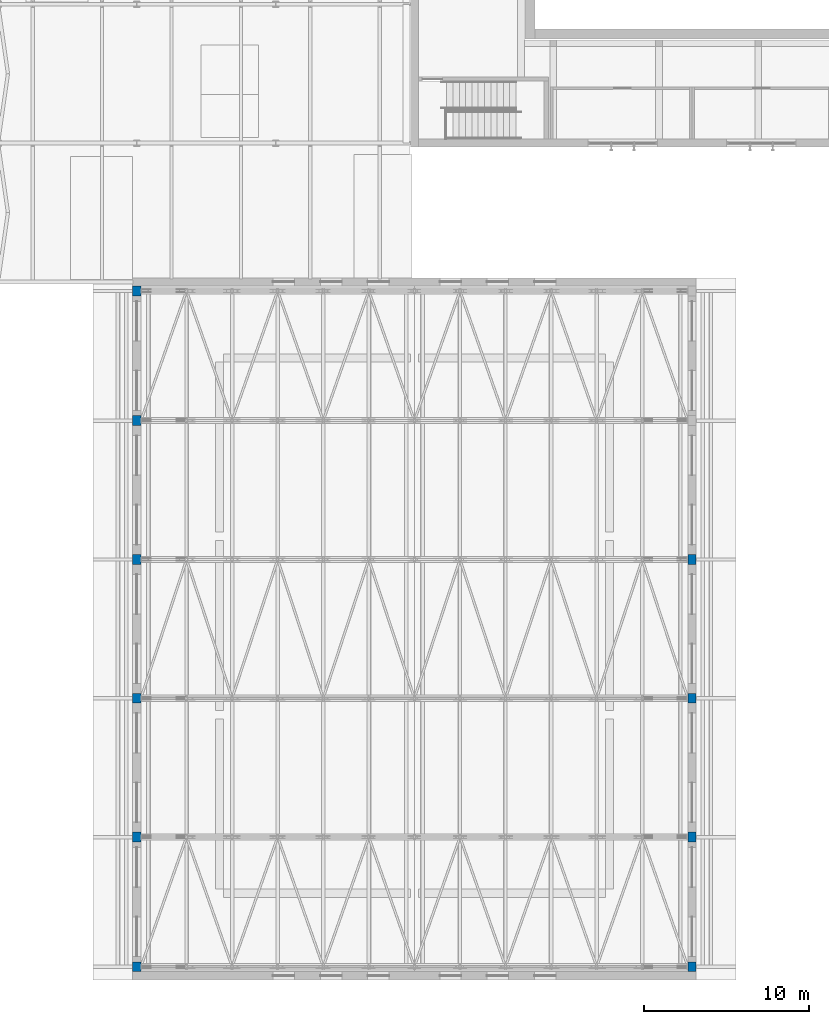
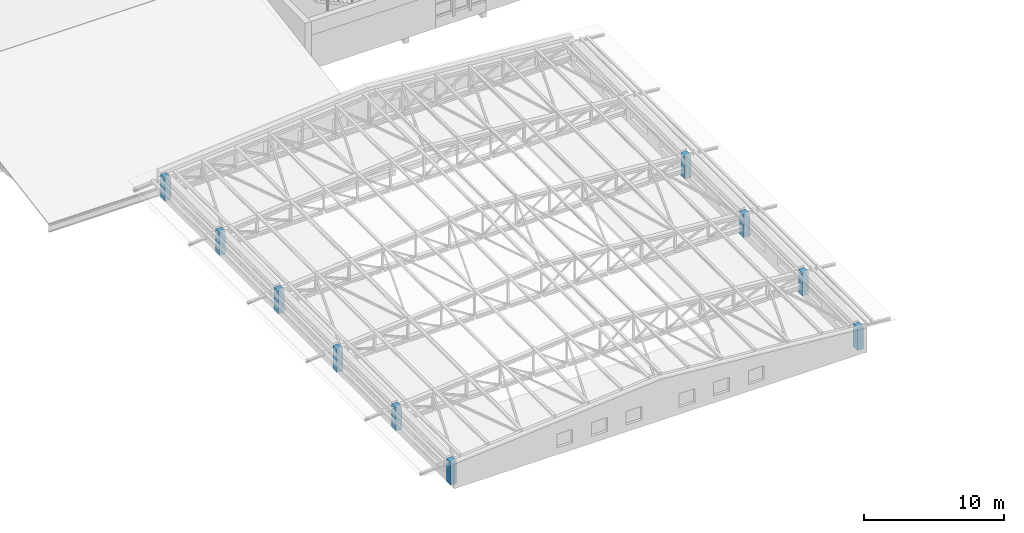
# One storey, part 1 of 60: 10 columns.
"""IFC4 building model written with IfcOpenShell, lengths in metres."""

from ifc_helpers import new_model, si_unit, direction, frame, origin, origin_2d, place, context, subcontext, project, spatial, rectangle, extrude, material, material_profile, profile_set, type_object, element, save


model = new_model("IFC4")

# Units and contexts
model_context = context("Model", 3, precision=1e-05, world=origin(), true_north=direction((0.0, 1.0)))
body_context = subcontext(model_context, "Body", "Model", "MODEL_VIEW")
ifc_project = project(units=[si_unit("LENGTHUNIT", "METRE"), si_unit("AREAUNIT", "SQUARE_METRE"), si_unit("VOLUMEUNIT", "CUBIC_METRE"), si_unit("PLANEANGLEUNIT", "RADIAN"), si_unit("MASSUNIT", "GRAM", prefix="KILO")], contexts=[model_context])

# Site, building, storey
site_placement = place(None, origin())
site = spatial("IfcSite", under=ifc_project, at=site_placement, CompositionType="ELEMENT")
building_placement = place(site_placement, origin())
building = spatial("IfcBuilding", under=site, at=building_placement, Name="Ljudholm Concert House", CompositionType="ELEMENT")
storey_placement = place(building_placement, frame((0.0, 0.0, 15.0)))
storey = spatial("IfcBuildingStorey", under=building, at=storey_placement, Name="L03", CompositionType="ELEMENT", Elevation=15.0)

# Columns
ifc_material = material(Name="Concrete 6,500 psi", Category="concrete")
ifc_material_profile = material_profile(ifc_material, rectangle(XDim=0.60009765625, YDim=0.5, at=origin_2d()), Name="RC COLUMN 600x500")
ifc_profile_set = profile_set([ifc_material_profile], Name="Concrete 6,500 psi")
column_type = type_object("IfcColumnType", Name="RC COLUMN 600x500", PredefinedType="COLUMN", material=ifc_profile_set)
for number, where, z_axis, x_axis, name in (
    (1, (12.39990234375, 4.550048828125, 0.0), (0.0, 0.0, 1.0), (0.0, 1.0, 0.0), "Truss pilaster"),
    (2, (46.0, 4.550048828125, 0.0), (0.0, 0.0, 1.0), (0.0, 1.0, 0.0), "Truss pilaster"),
    (3, (12.39990234375, 12.39990234375, 0.0), (0.0, 0.0, 1.0), (0.0, 1.0, 0.0), "Truss pilaster"),
    (4, (46.0, 12.39990234375, 0.0), (0.0, 0.0, 1.0), (0.0, 1.0, 0.0), "Truss pilaster"),
    (5, (12.39990234375, 20.800048828125, 0.0), (0.0, 0.0, 1.0), (0.0, 1.0, 0.0), "Truss pilaster"),
    (6, (46.0, 20.800048828125, 0.0), (0.0, 0.0, 1.0), (0.0, 1.0, 0.0), "Truss pilaster"),
    (7, (12.39990234375, 29.199951171875, 0.0), (0.0, 0.0, 1.0), (0.0, 1.0, 0.0), "Truss pilaster"),
    (8, (46.0, 29.199951171875, 0.0), (0.0, 0.0, 1.0), (0.0, 1.0, 0.0), "Truss pilaster"),
    (9, (12.39990234375, 37.60009765625, 0.0), (0.0, 0.0, 1.0), (0.0, 1.0, 0.0), "Truss pilaster"),
    (10, (12.39990234375, 45.449951171875, 0.0), (0.0, 0.0, 1.0), (0.0, 1.0, 0.0), "Truss pilaster"),
):
    element("IfcColumn", number, at=place(storey_placement, frame(where, z_axis=z_axis, x_axis=x_axis)), inside=storey, type_object=column_type, Name=name, PredefinedType="COLUMN", context=body_context, shape_type="SweptSolid", body=[
        extrude(rectangle(XDim=0.60009765625, YDim=0.5, at=origin_2d()), origin(), (0.0, 0.0, 1.0), 2.0),
    ])

save(model, "model.ifc")
